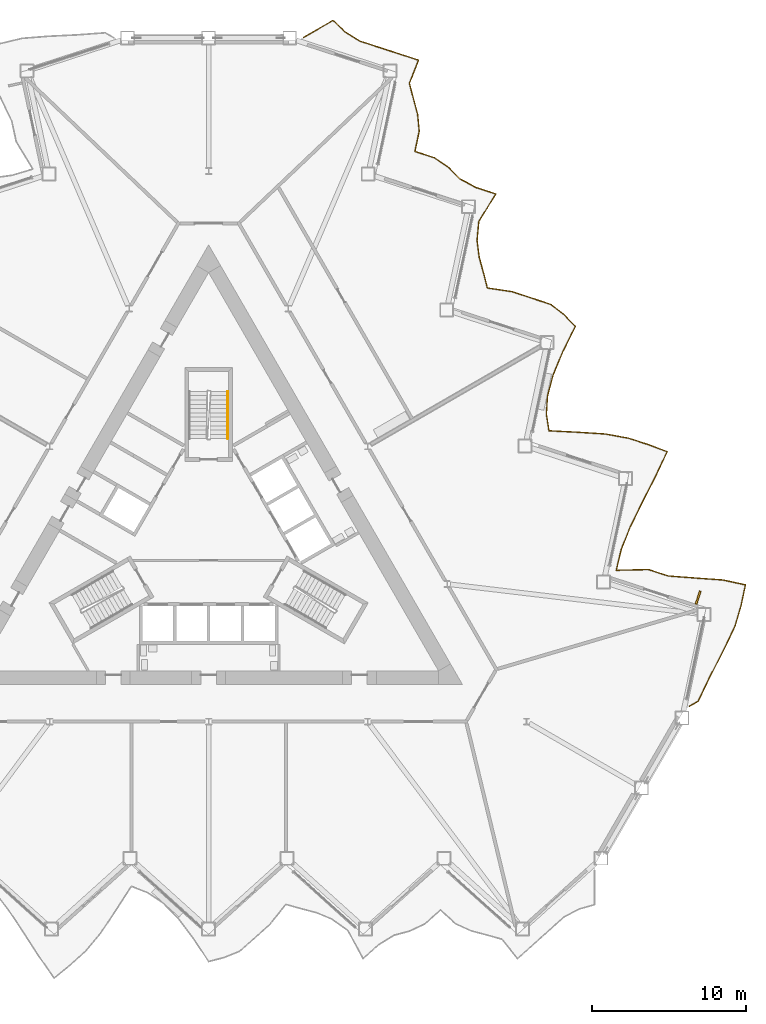
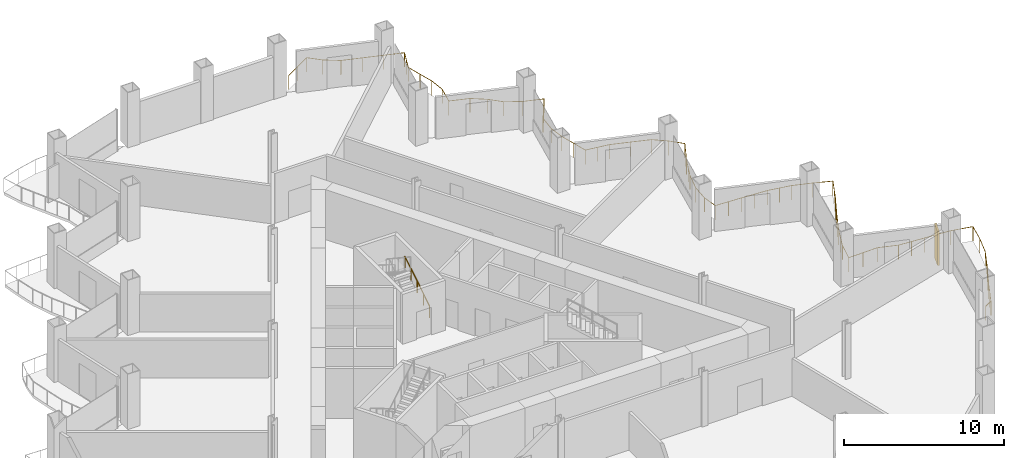
# One storey, part 19 of 21: 2 railings, 1 shading device.
"""IFC4 building model written with IfcOpenShell, lengths in metres."""

from ifc_helpers import new_model, si_unit, direction, frame, origin, origin_2d, place, context, subcontext, project, spatial, rectangle, circle, extrude, material, layer, layer_set, type_object, element, save


model = new_model("IFC4")

# Units and contexts
model_context = context("Model", 3, precision=1e-05, world=origin(), true_north=direction((0.0, 1.0)))
body_context = subcontext(model_context, "Body", "Model", "MODEL_VIEW")
ifc_project = project(units=[si_unit("LENGTHUNIT", "METRE"), si_unit("AREAUNIT", "SQUARE_METRE"), si_unit("VOLUMEUNIT", "CUBIC_METRE"), si_unit("PLANEANGLEUNIT", "RADIAN"), si_unit("MASSUNIT", "GRAM", prefix="KILO")], contexts=[model_context])

# Site, building, storey
site_placement = place(None, origin())
site = spatial("IfcSite", under=ifc_project, at=site_placement, CompositionType="ELEMENT")
building_placement = place(site_placement, origin())
building = spatial("IfcBuilding", under=site, at=building_placement, Name="Cormorant Prow Tower", CompositionType="ELEMENT")
storey_placement = place(building_placement, frame((0.0, 0.0, 116.39990234375)))
storey = spatial("IfcBuildingStorey", under=building, at=storey_placement, Name="L24", CompositionType="ELEMENT", Elevation=116.39990234375)

# Railings
ifc_material_1 = material(Name="Aluminium 6063-T6", Category="aluminium")
railing_type_1 = type_object("IfcRailingType", Name="Balcony guard 1100", PredefinedType="GUARDRAIL", material=ifc_material_1)
railing_1_placement = place(storey_placement, frame((31.255859375, -10.926025390625, 0.0)))
element("IfcRailing", 1, at=railing_1_placement, inside=storey, type_object=railing_type_1, Name="Balcony guard ENE", PredefinedType="GUARDRAIL", context=body_context, shape_type="SweptSolid", body=[
    extrude(circle(Radius=0.02392578125, at=origin_2d()), frame((0.0, 0.0, 1.076171875), z_axis=(0.866038622153, 0.499977104415, 0.0), x_axis=(-0.499977104415, 0.866038622153, 0.0)), (0.0, 0.0, 1.0), 0.63623046875),
    extrude(circle(Radius=0.02392578125, at=origin_2d()), frame((0.551025390625, 0.318115234375, 1.076171875), z_axis=(0.43395568951, 0.90093421488, 0.0), x_axis=(-0.90093421488, 0.43395568951, 0.0)), (0.0, 0.0, 1.0), 1.78173828125),
    extrude(circle(Radius=0.02392578125, at=origin_2d()), frame((1.32421875, 1.92333984375, 1.076171875), z_axis=(0.457404553014, 0.889258722129, 0.0), x_axis=(-0.889258722129, 0.457404553014, 0.0)), (0.0, 0.0, 1.0), 1.853759765625),
    extrude(circle(Radius=0.02392578125, at=origin_2d()), frame((2.172119140625, 3.57177734375, 1.076171875), z_axis=(0.431975796772, 0.90188519835, 0.0), x_axis=(-0.90188519835, 0.431975796772, 0.0)), (0.0, 0.0, 1.0), 1.7763671875),
    extrude(circle(Radius=0.02392578125, at=origin_2d()), frame((2.939453125, 5.173828125, 1.076171875), z_axis=(0.281611693619, 0.95952845399, 0.0), x_axis=(-0.95952845399, 0.281611693619, 0.0)), (0.0, 0.0, 1.0), 1.453857421875),
    extrude(circle(Radius=0.02392578125, at=origin_2d()), frame((3.348876953125, 6.56884765625, 1.076171875), z_axis=(0.207886861883, 0.978152877957, 0.0), x_axis=(-0.978152877957, 0.207886861883, 0.0)), (0.0, 0.0, 1.0), 1.3505859375),
    extrude(circle(Radius=0.02392578125, at=origin_2d()), frame((3.629638671875, 7.889892578125, 1.076171875), z_axis=(-0.977372167064, 0.211526941659, 0.0), x_axis=(-0.211526941659, -0.977372167064, 0.0)), (0.0, 0.0, 1.0), 1.493408203125),
    extrude(circle(Radius=0.02392578125, at=origin_2d()), frame((2.169921875, 8.205810546875, 1.076171875), z_axis=(-0.997497959501, 0.070695267101, 0.0), x_axis=(-0.070695267101, -0.997497959501, 0.0)), (0.0, 0.0, 1.0), 1.792236328125),
    extrude(circle(Radius=0.02392578125, at=origin_2d()), frame((0.382080078125, 8.33251953125, 1.076171875), z_axis=(-0.997149728918, 0.075448115409, 0.0), x_axis=(-0.075448115409, -0.997149728918, 0.0)), (0.0, 0.0, 1.0), 1.77978515625),
    extrude(circle(Radius=0.02392578125, at=origin_2d()), frame((-1.392578125, 8.466796875, 1.076171875), z_axis=(-0.951024769283, 0.309114684561, 0.0), x_axis=(-0.309114684561, -0.951024769283, 0.0)), (0.0, 0.0, 1.0), 1.3505859375),
    extrude(circle(Radius=0.02392578125, at=origin_2d()), frame((-2.677001953125, 8.88427734375, 1.076171875), z_axis=(-0.999758175255, -0.021990702814, 0.0), x_axis=(0.021990702814, -0.999758175255, 0.0)), (0.0, 0.0, 1.0), 2.087158203125),
    extrude(circle(Radius=0.02392578125, at=origin_2d()), frame((-4.763671875, 8.83837890625, 1.076171875), z_axis=(0.232169895877, 0.972675248708, 0.0), x_axis=(-0.972675248708, 0.232169895877, 0.0)), (0.0, 0.0, 1.0), 1.3818359375),
    extrude(circle(Radius=0.02392578125, at=origin_2d()), frame((-4.44287109375, 10.182373046875, 1.076171875), z_axis=(0.371001399751, 0.928632306881, 0.0), x_axis=(-0.928632306881, 0.371001399751, 0.0)), (0.0, 0.0, 1.0), 1.6220703125),
    extrude(circle(Radius=0.02392578125, at=origin_2d()), frame((-3.841064453125, 11.688720703125, 1.076171875), z_axis=(0.440752592338, 0.897628627188, 0.0), x_axis=(-0.897628627188, 0.440752592338, 0.0)), (0.0, 0.0, 1.0), 1.802001953125),
    extrude(circle(Radius=0.02392578125, at=origin_2d()), frame((-3.046875, 13.30615234375, 1.076171875), z_axis=(0.456734184833, 0.889603217398, 0.0), x_axis=(-0.889603217398, 0.456734184833, 0.0)), (0.0, 0.0, 1.0), 1.8515625),
    extrude(circle(Radius=0.02392578125, at=origin_2d()), frame((-2.201171875, 14.953369140625, 1.076171875), z_axis=(0.423709079237, 0.905798330851, 0.0), x_axis=(-0.905798330851, 0.423709079237, 0.0)), (0.0, 0.0, 1.0), 1.752197265625),
    extrude(circle(Radius=0.02392578125, at=origin_2d()), frame((-1.458740234375, 16.54052734375, 1.076171875), z_axis=(-0.935577093691, 0.353122502485, 0.0), x_axis=(-0.353122502485, -0.935577093691, 0.0)), (0.0, 0.0, 1.0), 1.297607421875),
    extrude(circle(Radius=0.02392578125, at=origin_2d()), frame((-2.6728515625, 16.998779296875, 1.076171875), z_axis=(-0.951077899841, 0.308951174839, 0.0), x_axis=(-0.308951174839, -0.951077899841, 0.0)), (0.0, 0.0, 1.0), 1.3505859375),
    extrude(circle(Radius=0.02392578125, at=origin_2d()), frame((-3.957275390625, 17.416015625, 1.076171875), z_axis=(-0.983862355577, 0.178926983092, 0.0), x_axis=(-0.178926983092, -0.983862355577, 0.0)), (0.0, 0.0, 1.0), 1.551513671875),
    extrude(circle(Radius=0.02392578125, at=origin_2d()), frame((-5.483642578125, 17.693603515625, 1.076171875), z_axis=(-0.997964521348, 0.063771577762, 0.0), x_axis=(-0.063771577762, -0.997964521348, 0.0)), (0.0, 0.0, 1.0), 1.810791015625),
    extrude(circle(Radius=0.02392578125, at=origin_2d()), frame((-7.290771484375, 17.80908203125, 1.076171875), z_axis=(-0.99874739551, 0.050036386371, 0.0), x_axis=(-0.050036386371, -0.99874739551, 0.0)), (0.0, 0.0, 1.0), 1.84912109375),
    extrude(circle(Radius=0.02392578125, at=origin_2d()), frame((-9.1376953125, 17.901611328125, 1.076171875), z_axis=(-0.155041618238, 0.987907939342, 0.0), x_axis=(-0.987907939342, -0.155041618238, 0.0)), (0.0, 0.0, 1.0), 1.075439453125),
    extrude(circle(Radius=0.02392578125, at=origin_2d()), frame((-9.304443359375, 18.964111328125, 1.076171875), z_axis=(0.058900613836, 0.998263851739, 0.0), x_axis=(-0.998263851739, 0.058900613836, 0.0)), (0.0, 0.0, 1.0), 1.2021484375),
    extrude(circle(Radius=0.02392578125, at=origin_2d()), frame((-9.233642578125, 20.1640625, 1.076171875), z_axis=(0.258337459787, 0.96605473803, 0.0), x_axis=(-0.96605473803, 0.258337459787, 0.0)), (0.0, 0.0, 1.0), 1.41845703125),
    extrude(circle(Radius=0.02392578125, at=origin_2d()), frame((-8.8671875, 21.534423828125, 1.076171875), z_axis=(0.385662338184, 0.922639995289, 0.0), x_axis=(-0.922639995289, 0.385662338184, 0.0)), (0.0, 0.0, 1.0), 1.655517578125),
    extrude(circle(Radius=0.02392578125, at=origin_2d()), frame((-8.228759765625, 23.061767578125, 1.076171875), z_axis=(0.446354499112, 0.894856223716, 0.0), x_axis=(-0.894856223716, 0.446354499112, 0.0)), (0.0, 0.0, 1.0), 1.819091796875),
    extrude(circle(Radius=0.02392578125, at=origin_2d()), frame((-7.416748046875, 24.689697265625, 1.076171875), z_axis=(-0.700003093653, 0.714139810455, 0.0), x_axis=(-0.714139810455, -0.700003093653, 0.0)), (0.0, 0.0, 1.0), 1.0361328125),
    extrude(circle(Radius=0.02392578125, at=origin_2d()), frame((-8.14208984375, 25.4296875, 1.076171875), z_axis=(-0.786866312504, 0.617123493513, 0.0), x_axis=(-0.617123493513, -0.786866312504, 0.0)), (0.0, 0.0, 1.0), 1.08154296875),
    extrude(circle(Radius=0.02392578125, at=origin_2d()), frame((-8.9931640625, 26.09716796875, 1.076171875), z_axis=(-0.947415465618, 0.320006149173, 0.0), x_axis=(-0.320006149173, -0.947415465618, 0.0)), (0.0, 0.0, 1.0), 1.336669921875),
    extrude(circle(Radius=0.02392578125, at=origin_2d()), frame((-10.259521484375, 26.52490234375, 1.076171875), z_axis=(-0.951077899841, 0.308951174839, 0.0), x_axis=(-0.308951174839, -0.951077899841, 0.0)), (0.0, 0.0, 1.0), 1.3505859375),
    extrude(circle(Radius=0.02392578125, at=origin_2d()), frame((-11.5439453125, 26.942138671875, 1.076171875), z_axis=(-0.989210766763, 0.146499347852, 0.0), x_axis=(-0.146499347852, -0.989210766763, 0.0)), (0.0, 0.0, 1.0), 1.61474609375),
    extrude(circle(Radius=0.02392578125, at=origin_2d()), frame((-13.141357421875, 27.1787109375, 1.076171875), z_axis=(-0.247823024383, 0.968805320271, 0.0), x_axis=(-0.968805320271, -0.247823024383, 0.0)), (0.0, 0.0, 1.0), 1.042236328125),
    extrude(circle(Radius=0.02392578125, at=origin_2d()), frame((-13.399658203125, 28.1884765625, 1.076171875), z_axis=(-0.26379434014, 0.964578947578, 0.0), x_axis=(-0.964578947578, -0.26379434014, 0.0)), (0.0, 0.0, 1.0), 1.03759765625),
    extrude(circle(Radius=0.02392578125, at=origin_2d()), frame((-13.67333984375, 29.189208984375, 1.076171875), z_axis=(-0.1260496164, 0.992023938323, 0.0), x_axis=(-0.992023938323, -0.1260496164, 0.0)), (0.0, 0.0, 1.0), 1.088623046875),
    extrude(circle(Radius=0.02392578125, at=origin_2d()), frame((-13.810546875, 30.26904296875, 1.076171875), z_axis=(0.092701173537, 0.995693975288, 0.0), x_axis=(-0.995693975288, 0.092701173537, 0.0)), (0.0, 0.0, 1.0), 1.22998046875),
    extrude(circle(Radius=0.02392578125, at=origin_2d()), frame((-13.696533203125, 31.49365234375, 1.076171875), z_axis=(0.523412097914, 0.852079676883, 0.0), x_axis=(-0.852079676883, 0.523412097914, 0.0)), (0.0, 0.0, 1.0), 2.107421875),
    extrude(circle(Radius=0.02392578125, at=origin_2d()), frame((-12.593505859375, 33.289306640625, 1.076171875), z_axis=(-0.951024769283, 0.309114684561, 0.0), x_axis=(-0.309114684561, -0.951024769283, 0.0)), (0.0, 0.0, 1.0), 1.3505859375),
    extrude(circle(Radius=0.02392578125, at=origin_2d()), frame((-13.8779296875, 33.706787109375, 1.076171875), z_axis=(-0.880391324152, 0.474247948185, 0.0), x_axis=(-0.474247948185, -0.880391324152, 0.0)), (0.0, 0.0, 1.0), 1.179443359375),
    extrude(circle(Radius=0.02392578125, at=origin_2d()), frame((-14.916259765625, 34.26611328125, 1.076171875), z_axis=(-0.707224250539, 0.706989292316, 0.0), x_axis=(-0.706989292316, -0.707224250539, 0.0)), (0.0, 0.0, 1.0), 1.0390625),
    extrude(circle(Radius=0.02392578125, at=origin_2d()), frame((-15.651123046875, 35.000732421875, 1.076171875), z_axis=(-0.821263959786, 0.570548427705, 0.0), x_axis=(-0.570548427705, -0.821263959786, 0.0)), (0.0, 0.0, 1.0), 1.109130859375),
    extrude(circle(Radius=0.02392578125, at=origin_2d()), frame((-16.56201171875, 35.633544921875, 1.076171875), z_axis=(-0.951024769283, 0.309114684561, 0.0), x_axis=(-0.309114684561, -0.951024769283, 0.0)), (0.0, 0.0, 1.0), 1.3505859375),
    extrude(circle(Radius=0.02392578125, at=origin_2d()), frame((-17.846435546875, 36.051025390625, 1.076171875), z_axis=(0.207923627178, 0.978145063506, 0.0), x_axis=(-0.978145063506, 0.207923627178, 0.0)), (0.0, 0.0, 1.0), 1.350341796875),
    extrude(circle(Radius=0.02392578125, at=origin_2d()), frame((-17.565673828125, 37.371826171875, 1.076171875), z_axis=(-0.09722302852, 0.995262619978, 0.0), x_axis=(-0.995262619978, -0.09722302852, 0.0)), (0.0, 0.0, 1.0), 1.102294921875),
    extrude(circle(Radius=0.02392578125, at=origin_2d()), frame((-17.6728515625, 38.468994140625, 1.076171875), z_axis=(-0.260529971324, 0.96546576016, 0.0), x_axis=(-0.96546576016, -0.260529971324, 0.0)), (0.0, 0.0, 1.0), 1.038330078125),
    extrude(circle(Radius=0.02392578125, at=origin_2d()), frame((-17.943359375, 39.471435546875, 1.076171875), z_axis=(-0.2523455211, 0.967637193364, 0.0), x_axis=(-0.967637193364, -0.2523455211, 0.0)), (0.0, 0.0, 1.0), 1.041015625),
    extrude(circle(Radius=0.02392578125, at=origin_2d()), frame((-18.2060546875, 40.478759765625, 1.076171875), z_axis=(0.36802667309, 0.929815233202, 0.0), x_axis=(-0.929815233202, 0.36802667309, 0.0)), (0.0, 0.0, 1.0), 1.615234375),
    extrude(circle(Radius=0.02392578125, at=origin_2d()), frame((-17.611572265625, 41.980712890625, 1.076171875), z_axis=(-0.951024769283, 0.309114684561, 0.0), x_axis=(-0.309114684561, -0.951024769283, 0.0)), (0.0, 0.0, 1.0), 1.3505859375),
    extrude(circle(Radius=0.02392578125, at=origin_2d()), frame((-18.89599609375, 42.398193359375, 1.076171875), z_axis=(-0.951077899841, 0.308951174839, 0.0), x_axis=(-0.308951174839, -0.951077899841, 0.0)), (0.0, 0.0, 1.0), 1.3505859375),
    extrude(circle(Radius=0.02392578125, at=origin_2d()), frame((-20.180419921875, 42.8154296875, 1.076171875), z_axis=(-0.951024769283, 0.309114684561, 0.0), x_axis=(-0.309114684561, -0.951024769283, 0.0)), (0.0, 0.0, 1.0), 1.3505859375),
    extrude(circle(Radius=0.02392578125, at=origin_2d()), frame((-21.46484375, 43.23291015625, 1.076171875), z_axis=(-0.841697789275, 0.539948915667, 0.0), x_axis=(-0.539948915667, -0.841697789275, 0.0)), (0.0, 0.0, 1.0), 1.12939453125),
    extrude(circle(Radius=0.02392578125, at=origin_2d()), frame((-22.41552734375, 43.8427734375, 1.076171875), z_axis=(-0.717329509152, 0.696734077894, 0.0), x_axis=(-0.696734077894, -0.717329509152, 0.0)), (0.0, 0.0, 1.0), 1.043212890625),
    extrude(circle(Radius=0.02392578125, at=origin_2d()), frame((-23.163818359375, 44.569580078125, 1.076171875), z_axis=(-0.866039359181, -0.499975827765, 0.0), x_axis=(0.499975827765, -0.866039359181, 0.0)), (0.0, 0.0, 1.0), 2.22412109375),
    extrude(circle(Radius=0.02099609375, at=origin_2d()), origin(), (0.0, 0.0, 1.0), 1.052001953125),
    extrude(circle(Radius=0.02099609375, at=origin_2d()), frame((0.551025390625, 0.318115234375, 0.0)), (0.0, 0.0, 1.0), 1.052001953125),
    extrude(circle(Radius=0.02099609375, at=origin_2d()), frame((0.9375, 1.12060546875, 0.0)), (0.0, 0.0, 1.0), 1.052001953125),
    extrude(circle(Radius=0.02099609375, at=origin_2d()), frame((1.32421875, 1.92333984375, 0.0)), (0.0, 0.0, 1.0), 1.052001953125),
    extrude(circle(Radius=0.02099609375, at=origin_2d()), frame((1.748046875, 2.74755859375, 0.0)), (0.0, 0.0, 1.0), 1.052001953125),
    extrude(circle(Radius=0.02099609375, at=origin_2d()), frame((2.172119140625, 3.57177734375, 0.0)), (0.0, 0.0, 1.0), 1.052001953125),
    extrude(circle(Radius=0.02099609375, at=origin_2d()), frame((2.5556640625, 4.372802734375, 0.0)), (0.0, 0.0, 1.0), 1.052001953125),
    extrude(circle(Radius=0.02099609375, at=origin_2d()), frame((2.939453125, 5.173828125, 0.0)), (0.0, 0.0, 1.0), 1.052001953125),
    extrude(circle(Radius=0.02099609375, at=origin_2d()), frame((3.348876953125, 6.56884765625, 0.0)), (0.0, 0.0, 1.0), 1.052001953125),
    extrude(circle(Radius=0.02099609375, at=origin_2d()), frame((3.629638671875, 7.889892578125, 0.0)), (0.0, 0.0, 1.0), 1.052001953125),
    extrude(circle(Radius=0.02099609375, at=origin_2d()), frame((2.169921875, 8.205810546875, 0.0)), (0.0, 0.0, 1.0), 1.052001953125),
    extrude(circle(Radius=0.02099609375, at=origin_2d()), frame((1.27587890625, 8.26904296875, 0.0)), (0.0, 0.0, 1.0), 1.052001953125),
    extrude(circle(Radius=0.02099609375, at=origin_2d()), frame((0.382080078125, 8.33251953125, 0.0)), (0.0, 0.0, 1.0), 1.052001953125),
    extrude(circle(Radius=0.02099609375, at=origin_2d()), frame((-0.50537109375, 8.399658203125, 0.0)), (0.0, 0.0, 1.0), 1.052001953125),
    extrude(circle(Radius=0.02099609375, at=origin_2d()), frame((-1.392578125, 8.466796875, 0.0)), (0.0, 0.0, 1.0), 1.052001953125),
    extrude(circle(Radius=0.02099609375, at=origin_2d()), frame((-2.677001953125, 8.88427734375, 0.0)), (0.0, 0.0, 1.0), 1.052001953125),
    extrude(circle(Radius=0.02099609375, at=origin_2d()), frame((-3.72021484375, 8.861328125, 0.0)), (0.0, 0.0, 1.0), 1.052001953125),
    extrude(circle(Radius=0.02099609375, at=origin_2d()), frame((-4.763671875, 8.83837890625, 0.0)), (0.0, 0.0, 1.0), 1.052001953125),
    extrude(circle(Radius=0.02099609375, at=origin_2d()), frame((-4.44287109375, 10.182373046875, 0.0)), (0.0, 0.0, 1.0), 1.052001953125),
    extrude(circle(Radius=0.02099609375, at=origin_2d()), frame((-4.14208984375, 10.935546875, 0.0)), (0.0, 0.0, 1.0), 1.052001953125),
    extrude(circle(Radius=0.02099609375, at=origin_2d()), frame((-3.841064453125, 11.688720703125, 0.0)), (0.0, 0.0, 1.0), 1.052001953125),
    extrude(circle(Radius=0.02099609375, at=origin_2d()), frame((-3.44384765625, 12.49755859375, 0.0)), (0.0, 0.0, 1.0), 1.052001953125),
    extrude(circle(Radius=0.02099609375, at=origin_2d()), frame((-3.046875, 13.30615234375, 0.0)), (0.0, 0.0, 1.0), 1.052001953125),
    extrude(circle(Radius=0.02099609375, at=origin_2d()), frame((-2.6240234375, 14.1298828125, 0.0)), (0.0, 0.0, 1.0), 1.052001953125),
    extrude(circle(Radius=0.02099609375, at=origin_2d()), frame((-2.201171875, 14.953369140625, 0.0)), (0.0, 0.0, 1.0), 1.052001953125),
    extrude(circle(Radius=0.02099609375, at=origin_2d()), frame((-1.830078125, 15.7470703125, 0.0)), (0.0, 0.0, 1.0), 1.052001953125),
    extrude(circle(Radius=0.02099609375, at=origin_2d()), frame((-1.458740234375, 16.54052734375, 0.0)), (0.0, 0.0, 1.0), 1.052001953125),
    extrude(circle(Radius=0.02099609375, at=origin_2d()), frame((-2.6728515625, 16.998779296875, 0.0)), (0.0, 0.0, 1.0), 1.052001953125),
    extrude(circle(Radius=0.02099609375, at=origin_2d()), frame((-3.957275390625, 17.416015625, 0.0)), (0.0, 0.0, 1.0), 1.052001953125),
    extrude(circle(Radius=0.02099609375, at=origin_2d()), frame((-4.720458984375, 17.5546875, 0.0)), (0.0, 0.0, 1.0), 1.052001953125),
    extrude(circle(Radius=0.02099609375, at=origin_2d()), frame((-5.483642578125, 17.693603515625, 0.0)), (0.0, 0.0, 1.0), 1.052001953125),
    extrude(circle(Radius=0.02099609375, at=origin_2d()), frame((-6.38720703125, 17.75146484375, 0.0)), (0.0, 0.0, 1.0), 1.052001953125),
    extrude(circle(Radius=0.02099609375, at=origin_2d()), frame((-7.290771484375, 17.80908203125, 0.0)), (0.0, 0.0, 1.0), 1.052001953125),
    extrude(circle(Radius=0.02099609375, at=origin_2d()), frame((-8.21435546875, 17.85546875, 0.0)), (0.0, 0.0, 1.0), 1.052001953125),
    extrude(circle(Radius=0.02099609375, at=origin_2d()), frame((-9.1376953125, 17.901611328125, 0.0)), (0.0, 0.0, 1.0), 1.052001953125),
    extrude(circle(Radius=0.02099609375, at=origin_2d()), frame((-9.304443359375, 18.964111328125, 0.0)), (0.0, 0.0, 1.0), 1.052001953125),
    extrude(circle(Radius=0.02099609375, at=origin_2d()), frame((-9.233642578125, 20.1640625, 0.0)), (0.0, 0.0, 1.0), 1.052001953125),
    extrude(circle(Radius=0.02099609375, at=origin_2d()), frame((-8.8671875, 21.534423828125, 0.0)), (0.0, 0.0, 1.0), 1.052001953125),
    extrude(circle(Radius=0.02099609375, at=origin_2d()), frame((-8.5478515625, 22.298095703125, 0.0)), (0.0, 0.0, 1.0), 1.052001953125),
    extrude(circle(Radius=0.02099609375, at=origin_2d()), frame((-8.228759765625, 23.061767578125, 0.0)), (0.0, 0.0, 1.0), 1.052001953125),
    extrude(circle(Radius=0.02099609375, at=origin_2d()), frame((-7.82275390625, 23.875732421875, 0.0)), (0.0, 0.0, 1.0), 1.052001953125),
    extrude(circle(Radius=0.02099609375, at=origin_2d()), frame((-7.416748046875, 24.689697265625, 0.0)), (0.0, 0.0, 1.0), 1.052001953125),
    extrude(circle(Radius=0.02099609375, at=origin_2d()), frame((-8.14208984375, 25.4296875, 0.0)), (0.0, 0.0, 1.0), 1.052001953125),
    extrude(circle(Radius=0.02099609375, at=origin_2d()), frame((-8.9931640625, 26.09716796875, 0.0)), (0.0, 0.0, 1.0), 1.052001953125),
    extrude(circle(Radius=0.02099609375, at=origin_2d()), frame((-10.259521484375, 26.52490234375, 0.0)), (0.0, 0.0, 1.0), 1.052001953125),
    extrude(circle(Radius=0.02099609375, at=origin_2d()), frame((-11.5439453125, 26.942138671875, 0.0)), (0.0, 0.0, 1.0), 1.052001953125),
    extrude(circle(Radius=0.02099609375, at=origin_2d()), frame((-12.3427734375, 27.060546875, 0.0)), (0.0, 0.0, 1.0), 1.052001953125),
    extrude(circle(Radius=0.02099609375, at=origin_2d()), frame((-13.141357421875, 27.1787109375, 0.0)), (0.0, 0.0, 1.0), 1.052001953125),
    extrude(circle(Radius=0.02099609375, at=origin_2d()), frame((-13.399658203125, 28.1884765625, 0.0)), (0.0, 0.0, 1.0), 1.052001953125),
    extrude(circle(Radius=0.02099609375, at=origin_2d()), frame((-13.67333984375, 29.189208984375, 0.0)), (0.0, 0.0, 1.0), 1.052001953125),
    extrude(circle(Radius=0.02099609375, at=origin_2d()), frame((-13.810546875, 30.26904296875, 0.0)), (0.0, 0.0, 1.0), 1.052001953125),
    extrude(circle(Radius=0.02099609375, at=origin_2d()), frame((-13.696533203125, 31.49365234375, 0.0)), (0.0, 0.0, 1.0), 1.052001953125),
    extrude(circle(Radius=0.02099609375, at=origin_2d()), frame((-13.14501953125, 32.3916015625, 0.0)), (0.0, 0.0, 1.0), 1.052001953125),
    extrude(circle(Radius=0.02099609375, at=origin_2d()), frame((-12.593505859375, 33.289306640625, 0.0)), (0.0, 0.0, 1.0), 1.052001953125),
    extrude(circle(Radius=0.02099609375, at=origin_2d()), frame((-13.8779296875, 33.706787109375, 0.0)), (0.0, 0.0, 1.0), 1.052001953125),
    extrude(circle(Radius=0.02099609375, at=origin_2d()), frame((-14.916259765625, 34.26611328125, 0.0)), (0.0, 0.0, 1.0), 1.052001953125),
    extrude(circle(Radius=0.02099609375, at=origin_2d()), frame((-15.651123046875, 35.000732421875, 0.0)), (0.0, 0.0, 1.0), 1.052001953125),
    extrude(circle(Radius=0.02099609375, at=origin_2d()), frame((-16.56201171875, 35.633544921875, 0.0)), (0.0, 0.0, 1.0), 1.052001953125),
    extrude(circle(Radius=0.02099609375, at=origin_2d()), frame((-17.846435546875, 36.051025390625, 0.0)), (0.0, 0.0, 1.0), 1.052001953125),
    extrude(circle(Radius=0.02099609375, at=origin_2d()), frame((-17.565673828125, 37.371826171875, 0.0)), (0.0, 0.0, 1.0), 1.052001953125),
    extrude(circle(Radius=0.02099609375, at=origin_2d()), frame((-17.6728515625, 38.468994140625, 0.0)), (0.0, 0.0, 1.0), 1.052001953125),
    extrude(circle(Radius=0.02099609375, at=origin_2d()), frame((-17.943359375, 39.471435546875, 0.0)), (0.0, 0.0, 1.0), 1.052001953125),
    extrude(circle(Radius=0.02099609375, at=origin_2d()), frame((-18.2060546875, 40.478759765625, 0.0)), (0.0, 0.0, 1.0), 1.052001953125),
    extrude(circle(Radius=0.02099609375, at=origin_2d()), frame((-17.90869140625, 41.229736328125, 0.0)), (0.0, 0.0, 1.0), 1.052001953125),
    extrude(circle(Radius=0.02099609375, at=origin_2d()), frame((-17.611572265625, 41.980712890625, 0.0)), (0.0, 0.0, 1.0), 1.052001953125),
    extrude(circle(Radius=0.02099609375, at=origin_2d()), frame((-18.89599609375, 42.398193359375, 0.0)), (0.0, 0.0, 1.0), 1.052001953125),
    extrude(circle(Radius=0.02099609375, at=origin_2d()), frame((-20.180419921875, 42.8154296875, 0.0)), (0.0, 0.0, 1.0), 1.052001953125),
    extrude(circle(Radius=0.02099609375, at=origin_2d()), frame((-21.46484375, 43.23291015625, 0.0)), (0.0, 0.0, 1.0), 1.052001953125),
    extrude(circle(Radius=0.02099609375, at=origin_2d()), frame((-22.41552734375, 43.8427734375, 0.0)), (0.0, 0.0, 1.0), 1.052001953125),
    extrude(circle(Radius=0.02099609375, at=origin_2d()), frame((-23.163818359375, 44.569580078125, 0.0)), (0.0, 0.0, 1.0), 1.052001953125),
    extrude(circle(Radius=0.02099609375, at=origin_2d()), frame((-24.126953125, 44.013671875, 0.0)), (0.0, 0.0, 1.0), 1.052001953125),
    extrude(circle(Radius=0.02099609375, at=origin_2d()), frame((-25.090087890625, 43.45751953125, 0.0)), (0.0, 0.0, 1.0), 1.052001953125),
])
ifc_material_2 = material(Name="Stainless steel", Category="steel")
railing_type_2 = type_object("IfcRailingType", Name="Stair handrail 900", PredefinedType="HANDRAIL", material=ifc_material_2)
railing_2_placement = place(storey_placement, frame((1.243896484375, 6.455810546875, 0.175048828125)))
element("IfcRailing", 2, at=railing_2_placement, inside=storey, type_object=railing_type_2, Name="L24 ST3 stair handrail 1", PredefinedType="HANDRAIL", context=body_context, shape_type="SweptSolid", body=[
    extrude(circle(Radius=0.02392578125, at=origin_2d()), frame((0.0, 0.0, 0.8759765625), z_axis=(0.0, 0.847998304005, 0.529998940003), x_axis=(-1.0, 0.0, 0.0)), (0.0, 0.0, 1.0), 3.632080078125),
    extrude(circle(Radius=0.02099609375, at=origin_2d()), origin(), (0.0, 0.0, 1.0), 0.851806640625),
    extrude(circle(Radius=0.02099609375, at=origin_2d()), frame((0.0, 0.77001953125, 0.481201171875)), (0.0, 0.0, 1.0), 0.851806640625),
    extrude(circle(Radius=0.02099609375, at=origin_2d()), frame((0.0, 1.5400390625, 0.96240234375)), (0.0, 0.0, 1.0), 0.851806640625),
    extrude(circle(Radius=0.02099609375, at=origin_2d()), frame((0.0, 2.31005859375, 1.44384765625)), (0.0, 0.0, 1.0), 0.851806640625),
    extrude(circle(Radius=0.02099609375, at=origin_2d()), frame((0.0, 3.080078125, 1.925048828125)), (0.0, 0.0, 1.0), 0.851806640625),
])

# Shading device
ifc_material_3 = material(Name="Terracotta", Category="masonry")
ifc_layer = layer(ifc_material_3, 0.1201171875)
ifc_layer_set = layer_set([ifc_layer], Name="Terracotta")
shading_device_type = type_object("IfcShadingDeviceType", Name="Terracotta baguette fin 120x900x2600", PredefinedType="USERDEFINED", material=ifc_layer_set)
shading_device_placement = place(storey_placement, frame((31.807861328125, -3.8681640625, 0.0), z_axis=(0.0, 0.0, 1.0), x_axis=(-0.951056506231, 0.309017025349, 0.0)))
element("IfcShadingDevice", 3, at=shading_device_placement, inside=storey, type_object=shading_device_type, Name="Baguette fin ENE01", ObjectType="BAGUETTE", PredefinedType="USERDEFINED", context=body_context, shape_type="SweptSolid", body=[
    extrude(rectangle(XDim=0.1201171875, YDim=0.89990234375, at=origin_2d()), origin(), (0.0, 0.0, 1.0), 2.60009765625),
])

save(model, "model.ifc")
